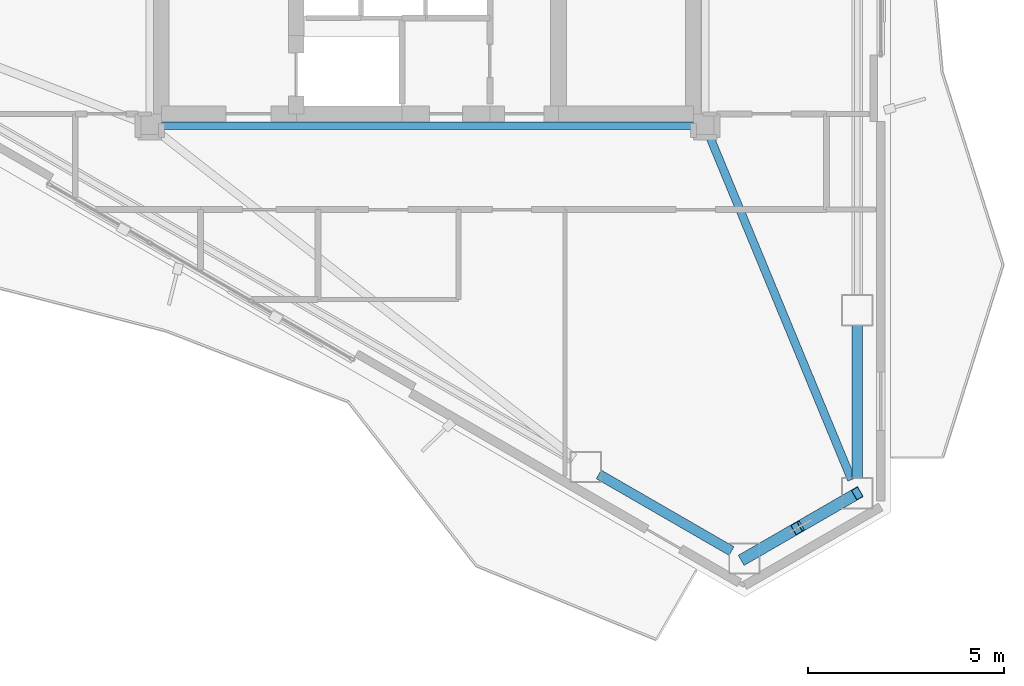
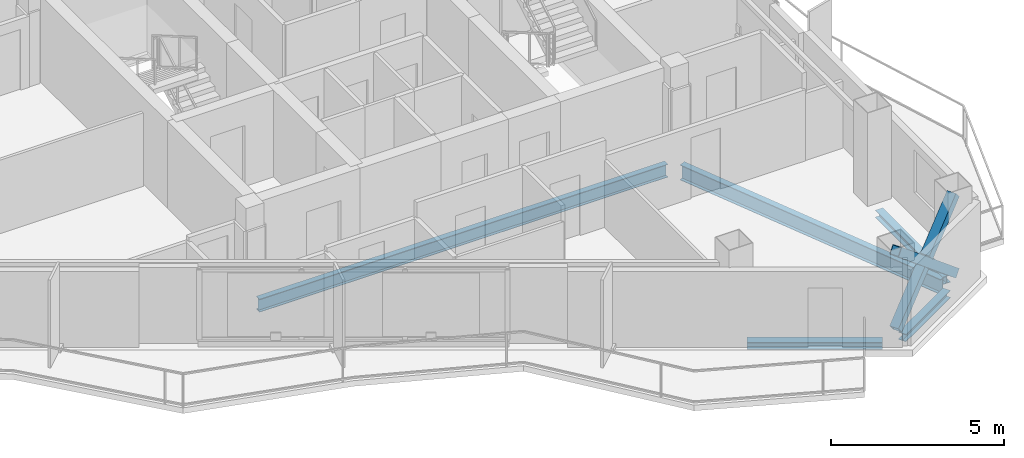
# One storey, part 5 of 21: 5 beams, 3 members.
"""IFC4 building model written with IfcOpenShell, lengths in metres."""

from ifc_helpers import new_model, si_unit, direction, frame, origin, origin_2d, place, context, subcontext, project, spatial, hollow_rectangle, i_section, extrude, material, material_profile, profile_set, type_object, element, save


model = new_model("IFC4")

# Units and contexts
model_context = context("Model", 3, precision=1e-05, world=origin(), true_north=direction((0.0, 1.0)))
body_context = subcontext(model_context, "Body", "Model", "MODEL_VIEW")
ifc_project = project(units=[si_unit("LENGTHUNIT", "METRE"), si_unit("AREAUNIT", "SQUARE_METRE"), si_unit("VOLUMEUNIT", "CUBIC_METRE"), si_unit("PLANEANGLEUNIT", "RADIAN"), si_unit("MASSUNIT", "GRAM", prefix="KILO")], contexts=[model_context])

# Site, building, storey
site_placement = place(None, origin())
site = spatial("IfcSite", under=ifc_project, at=site_placement, CompositionType="ELEMENT")
building_placement = place(site_placement, origin())
building = spatial("IfcBuilding", under=site, at=building_placement, Name="Mersakhor Tower and Convention Hall", CompositionType="ELEMENT")
storey_placement = place(building_placement, frame((0.0, 0.0, 211.800048828125)))
storey = spatial("IfcBuildingStorey", under=building, at=storey_placement, Name="L59", CompositionType="ELEMENT", Elevation=211.800048828125)

# Beams
ifc_material_1 = material(Name="Steel S355", Category="steel")
ifc_material_profile_1 = material_profile(ifc_material_1, i_section(OverallWidth=0.19140625, OverallDepth=0.4599609375, WebThickness=0.010009765625, FlangeThickness=0.01611328125, at=origin_2d()), Name="UB 457x191x82")
ifc_profile_set_1 = profile_set([ifc_material_profile_1], Name="Steel S355")
beam_type_1 = type_object("IfcBeamType", Name="BM-FB-457", PredefinedType="BEAM", material=ifc_profile_set_1)
beam_1_placement = place(storey_placement, frame((35.820068359375, 20.449951171875, -0.4599609375), z_axis=(-1.0, 0.0, 0.0), x_axis=(0.0, -1.0, 0.0)))
element("IfcBeam", 1, at=beam_1_placement, inside=storey, type_object=beam_type_1, Name="L59 Core Ring Tie Beam CRB-4", PredefinedType="BEAM", context=body_context, shape_type="SweptSolid", body=[
    extrude(i_section(OverallWidth=0.19140625, OverallDepth=0.4599609375, WebThickness=0.010009765625, FlangeThickness=0.01611328125, at=origin_2d()), origin(), (0.0, 0.0, 1.0), 13.64013671875),
])
ifc_material_2 = material(Name="Steel S355", Category="steel")
ifc_material_profile_2 = material_profile(ifc_material_2, i_section(OverallWidth=0.2099609375, OverallDepth=0.53662109375, WebThickness=0.0107421875, FlangeThickness=0.017333984375, at=origin_2d()), Name="UB 533x210x101")
ifc_profile_set_2 = profile_set([ifc_material_profile_2], Name="Steel S355")
beam_type_2 = type_object("IfcBeamType", Name="BM-FB-533", PredefinedType="BEAM", material=ifc_profile_set_2)
beam_2_placement = place(storey_placement, frame((36.20703125, 20.19140625, -0.49853515625), z_axis=(0.382178028302, -0.924088715808, 0.0), x_axis=(0.924088715808, 0.382178028302, 0.0)))
element("IfcBeam", 2, at=beam_2_placement, inside=storey, type_object=beam_type_2, Name="L59 Primary Floor Girder FG-4", PredefinedType="BEAM", context=body_context, shape_type="SweptSolid", body=[
    extrude(i_section(OverallWidth=0.2099609375, OverallDepth=0.53662109375, WebThickness=0.0107421875, FlangeThickness=0.017333984375, at=origin_2d()), origin(), (0.0, 0.0, 1.0), 9.514404296875),
])
ifc_material_3 = material(Name="Steel S355", Category="steel")
ifc_material_profile_3 = material_profile(ifc_material_3, i_section(OverallWidth=0.25634765625, OverallDepth=0.26025390625, WebThickness=0.01025390625, FlangeThickness=0.017333984375, at=origin_2d()), Name="UC 254x254x89")
ifc_profile_set_3 = profile_set([ifc_material_profile_3], Name="Steel S355")
beam_type_3 = type_object("IfcBeamType", Name="BM-SPD-UC254", PredefinedType="SPANDREL", material=ifc_profile_set_3)
beam_3_placement = place(storey_placement, frame((39.98828125, 15.34716796875, -0.360107421875), z_axis=(0.0, -1.0, 0.0), x_axis=(1.0, 0.0, 0.0)))
element("IfcBeam", 3, at=beam_3_placement, inside=storey, type_object=beam_type_3, Name="L59 Perimeter Spandrel Beam SPB-07", PredefinedType="SPANDREL", context=body_context, shape_type="SweptSolid", body=[
    extrude(i_section(OverallWidth=0.25634765625, OverallDepth=0.26025390625, WebThickness=0.01025390625, FlangeThickness=0.017333984375, at=origin_2d()), origin(), (0.0, 0.0, 1.0), 3.919189453125),
])
beam_4_placement = place(storey_placement, frame((39.6591796875, 10.85791015625, -0.360107421875), z_axis=(-0.866036909293, -0.499980071345, 0.0), x_axis=(0.499980071345, -0.866036909293, 0.0)))
element("IfcBeam", 4, at=beam_4_placement, inside=storey, type_object=beam_type_3, Name="L59 Perimeter Spandrel Beam SPB-08", PredefinedType="SPANDREL", context=body_context, shape_type="SweptSolid", body=[
    extrude(i_section(OverallWidth=0.25634765625, OverallDepth=0.26025390625, WebThickness=0.01025390625, FlangeThickness=0.017333984375, at=origin_2d()), origin(), (0.0, 0.0, 1.0), 2.5703125),
])
beam_5_placement = place(storey_placement, frame((36.77490234375, 9.57275390625, -0.360107421875), z_axis=(-0.866007153761, 0.500031608635, 0.0), x_axis=(-0.500031608635, -0.866007153761, 0.0)))
element("IfcBeam", 5, at=beam_5_placement, inside=storey, type_object=beam_type_3, Name="L59 Perimeter Spandrel Beam SPB-09", PredefinedType="SPANDREL", context=body_context, shape_type="SweptSolid", body=[
    extrude(i_section(OverallWidth=0.25634765625, OverallDepth=0.26025390625, WebThickness=0.01025390625, FlangeThickness=0.017333984375, at=origin_2d()), origin(), (0.0, 0.0, 1.0), 3.919189453125),
])

# Members
ifc_material_4 = material(Name="Steel S355", Category="steel")
ifc_material_profile_4 = material_profile(ifc_material_4, hollow_rectangle(XDim=0.300048828125, YDim=0.300048828125, WallThickness=0.01611328125, at=origin_2d()), Name="SHS 300x300x16")
ifc_profile_set_4 = profile_set([ifc_material_profile_4], Name="Steel S355")
member_type = type_object("IfcMemberType", Name="MB-BRC-SHS300", PredefinedType="BRACE", material=ifc_profile_set_4)
member_1_placement = place(storey_placement, frame((39.98828125, 11.048095703125, 0.14990234375), z_axis=(-0.665824923443, -0.384424564314, 0.639448923429), x_axis=(0.50001011158, -0.866019565782, 0.0)))
element("IfcMember", 6, at=member_1_placement, inside=storey, type_object=member_type, Name="L59 Chamfer Braced Frame Diagonal CB-2A", PredefinedType="BRACE", context=body_context, shape_type="SweptSolid", body=[
    extrude(hollow_rectangle(XDim=0.300048828125, YDim=0.300048828125, WallThickness=0.01611328125, at=origin_2d()), origin(), (0.0, 0.0, 1.0), 4.331787109375),
])
member_2_placement = place(storey_placement, frame((37.10400390625, 9.3828125, 0.14990234375), z_axis=(0.665779245823, 0.384445210881, 0.639484069905), x_axis=(-0.50005597947, 0.86599308161, 0.0)))
element("IfcMember", 7, at=member_2_placement, inside=storey, type_object=member_type, Name="L59 Chamfer Braced Frame Diagonal CB-2B Lower Half", PredefinedType="BRACE", context=body_context, shape_type="SweptSolid", body=[
    extrude(hollow_rectangle(XDim=0.300048828125, YDim=0.300048828125, WallThickness=0.01611328125, at=origin_2d()), origin(), (0.0, 0.0, 1.0), 2.00537109375),
])
member_3_placement = place(storey_placement, frame((38.6533203125, 10.277099609375, 1.6376953125), z_axis=(0.665763296387, 0.384506307606, 0.639463941592), x_axis=(-0.500124558158, 0.865953478154, 0.0)))
element("IfcMember", 8, at=member_3_placement, inside=storey, type_object=member_type, Name="L59 Chamfer Braced Frame Diagonal CB-2B Upper Half", PredefinedType="BRACE", context=body_context, shape_type="SweptSolid", body=[
    extrude(hollow_rectangle(XDim=0.300048828125, YDim=0.300048828125, WallThickness=0.01611328125, at=origin_2d()), origin(), (0.0, 0.0, 1.0), 2.005126953125),
])

save(model, "model.ifc")
